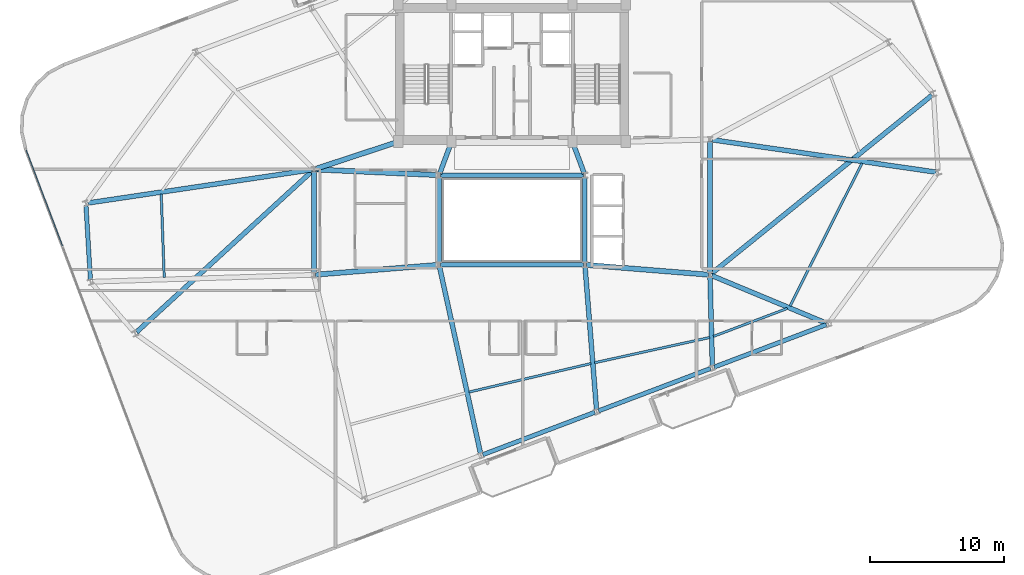
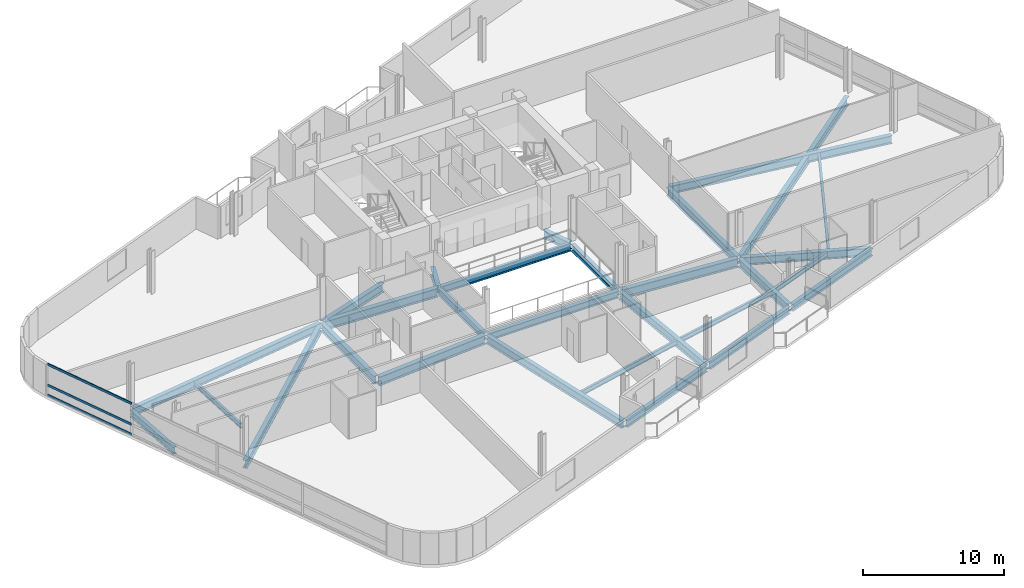
# One storey, part 7 of 19: 29 beams, 3 members, 1 element without a shape of its own.
"""IFC4 building model written with IfcOpenShell, lengths in metres."""

from ifc_helpers import new_model, si_unit, direction, frame, origin, origin_2d, place, context, subcontext, project, spatial, hollow_rectangle, i_section, extrude, material, layer, layer_set, material_profile, profile_set, type_object, element, aggregate, save


model = new_model("IFC4")

# Units and contexts
model_context = context("Model", 3, precision=1e-05, world=origin(), true_north=direction((0.0, 1.0)))
body_context = subcontext(model_context, "Body", "Model", "MODEL_VIEW")
ifc_project = project(units=[si_unit("LENGTHUNIT", "METRE"), si_unit("AREAUNIT", "SQUARE_METRE"), si_unit("VOLUMEUNIT", "CUBIC_METRE"), si_unit("PLANEANGLEUNIT", "RADIAN"), si_unit("MASSUNIT", "GRAM", prefix="KILO")], contexts=[model_context])

# Site, building, storey
site_placement = place(None, origin())
site = spatial("IfcSite", under=ifc_project, at=site_placement, CompositionType="ELEMENT")
building_placement = place(site_placement, origin())
building = spatial("IfcBuilding", under=site, at=building_placement, Name="Varnelok Gate Tower", CompositionType="ELEMENT")
storey_placement = place(building_placement, frame((0.0, 0.0, 246.0)))
storey = spatial("IfcBuildingStorey", under=building, at=storey_placement, Name="L63", CompositionType="ELEMENT", Elevation=246.0)

# Beams
ifc_material_1 = material(Name="Structural Steel ASTM A992 Grade 50", Category="steel")
ifc_material_profile_1 = material_profile(ifc_material_1, i_section(OverallWidth=0.180908203125, OverallDepth=0.4169921875, WebThickness=0.010986328125, FlangeThickness=0.018310546875, FilletRadius=0.013916015625, at=origin_2d()), Name="W16X57")
ifc_profile_set_1 = profile_set([ifc_material_profile_1], Name="Structural Steel ASTM A992 Grade 50")
beam_type_1 = type_object("IfcBeamType", Name="BM-JST-W16X57", PredefinedType="JOIST", material=ifc_profile_set_1)
beam_1_placement = place(storey_placement, frame((35.9833984375, 10.03662109375, -0.45849609375), z_axis=(0.973787152807, 0.227461163782, 0.0), x_axis=(-0.227461163782, 0.973787152807, 0.0)))
element("IfcBeam", 1, at=beam_1_placement, inside=storey, type_object=beam_type_1, Name="L63 Sector Floor Joist 2", PredefinedType="JOIST", context=body_context, shape_type="SweptSolid", body=[
    extrude(i_section(OverallWidth=0.180908203125, OverallDepth=0.4169921875, WebThickness=0.010986328125, FlangeThickness=0.018310546875, FilletRadius=0.013916015625, at=origin_2d()), origin(), (0.0, 0.0, 1.0), 9.365966796875),
])
beam_2_placement = place(storey_placement, frame((45.376708984375, 12.22900390625, -0.45849609375), z_axis=(0.976812641419, 0.214095921407, 0.0), x_axis=(-0.214095921407, 0.976812641419, 0.0)))
element("IfcBeam", 2, at=beam_2_placement, inside=storey, type_object=beam_type_1, Name="L63 Sector Floor Joist 3", PredefinedType="JOIST", context=body_context, shape_type="SweptSolid", body=[
    extrude(i_section(OverallWidth=0.180908203125, OverallDepth=0.4169921875, WebThickness=0.010986328125, FlangeThickness=0.018310546875, FilletRadius=0.013916015625, at=origin_2d()), origin(), (0.0, 0.0, 1.0), 8.8125),
])
beam_3_placement = place(storey_placement, frame((54.25244140625, 14.1953125, -0.45849609375), z_axis=(0.93521906908, 0.354069615795, 0.0), x_axis=(-0.354069615795, 0.93521906908, 0.0)))
element("IfcBeam", 3, at=beam_3_placement, inside=storey, type_object=beam_type_1, Name="L63 Sector Floor Joist 4", PredefinedType="JOIST", context=body_context, shape_type="SweptSolid", body=[
    extrude(i_section(OverallWidth=0.180908203125, OverallDepth=0.4169921875, WebThickness=0.010986328125, FlangeThickness=0.018310546875, FilletRadius=0.013916015625, at=origin_2d()), origin(), (0.0, 0.0, 1.0), 5.91748046875),
])
beam_4_placement = place(storey_placement, frame((59.980712890625, 16.465087890625, -0.45849609375), z_axis=(0.450200182394, 0.892927654277, 0.0), x_axis=(-0.892927654277, 0.450200182394, 0.0)))
element("IfcBeam", 4, at=beam_4_placement, inside=storey, type_object=beam_type_1, Name="L63 Sector Floor Joist 5", PredefinedType="JOIST", context=body_context, shape_type="SweptSolid", body=[
    extrude(i_section(OverallWidth=0.180908203125, OverallDepth=0.4169921875, WebThickness=0.010986328125, FlangeThickness=0.018310546875, FilletRadius=0.013916015625, at=origin_2d()), origin(), (0.0, 0.0, 1.0), 11.95751953125),
])
beam_5_placement = place(storey_placement, frame((12.97802734375, 24.8427734375, -0.45849609375), z_axis=(0.035869731281, -0.999356474126, 0.0), x_axis=(0.999356474126, 0.035869731281, 0.0)))
element("IfcBeam", 5, at=beam_5_placement, inside=storey, type_object=beam_type_1, Name="L63 Sector Floor Joist 12", PredefinedType="JOIST", context=body_context, shape_type="SweptSolid", body=[
    extrude(i_section(OverallWidth=0.180908203125, OverallDepth=0.4169921875, WebThickness=0.010986328125, FlangeThickness=0.018310546875, FilletRadius=0.013916015625, at=origin_2d()), origin(), (0.0, 0.0, 1.0), 6.2548828125),
])
ifc_material_profile_2 = material_profile(ifc_material_1, i_section(OverallWidth=0.35498046875, OverallDepth=0.696044921875, WebThickness=0.015380859375, FlangeThickness=0.02490234375, FilletRadius=0.02001953125, at=origin_2d()), Name="W27X146")
ifc_profile_set_2 = profile_set([ifc_material_profile_2], Name="Structural Steel ASTM A992 Grade 50")
beam_type_2 = type_object("IfcBeamType", Name="BM-PRI-W27X146", PredefinedType="BEAM", material=ifc_profile_set_2)
for number, where, z_axis, x_axis, name in (
    (6, (33.791748046875, 26.362548828125, -0.597900390625), (0.348719329408, 0.937227202602, 0.0), (-0.937227202602, 0.348719329408, 0.0), "L63 Core-Atrium Spine Beam 12"),
    (7, (44.608154296875, 26.362548828125, -0.597900390625), (-0.348719329408, 0.937227202602, 0.0), (-0.937227202602, -0.348719329408, 0.0), "L63 Core-Atrium Spine Beam 13"),
):
    element("IfcBeam", number, at=place(storey_placement, frame(where, z_axis=z_axis, x_axis=x_axis)), inside=storey, type_object=beam_type_2, Name=name, PredefinedType="BEAM", context=body_context, shape_type="SweptSolid", body=[
        extrude(i_section(OverallWidth=0.35498046875, OverallDepth=0.696044921875, WebThickness=0.015380859375, FlangeThickness=0.02490234375, FilletRadius=0.02001953125, at=origin_2d()), origin(), (0.0, 0.0, 1.0), 2.42724609375),
    ])
beam_6_placement = place(storey_placement, frame((24.39990234375, 18.919921875, -0.597900390625), z_axis=(0.0, 1.0, 0.0), x_axis=(-1.0, 0.0, 0.0)))
element("IfcBeam", 8, at=beam_6_placement, inside=storey, type_object=beam_type_2, Name="L63 Core-Atrium Spine Beam 16", PredefinedType="BEAM", context=body_context, shape_type="SweptSolid", body=[
    extrude(i_section(OverallWidth=0.35498046875, OverallDepth=0.696044921875, WebThickness=0.015380859375, FlangeThickness=0.02490234375, FilletRadius=0.02001953125, at=origin_2d()), origin(), (0.0, 0.0, 1.0), 7.64013671875),
])
beam_7_placement = place(storey_placement, frame((54.0, 18.919921875, -0.597900390625), z_axis=(0.0, 1.0, 0.0), x_axis=(-1.0, 0.0, 0.0)))
element("IfcBeam", 9, at=beam_7_placement, inside=storey, type_object=beam_type_2, Name="L63 Core-Atrium Spine Beam 20", PredefinedType="BEAM", context=body_context, shape_type="SweptSolid", body=[
    extrude(i_section(OverallWidth=0.35498046875, OverallDepth=0.696044921875, WebThickness=0.015380859375, FlangeThickness=0.02490234375, FilletRadius=0.02001953125, at=origin_2d()), origin(), (0.0, 0.0, 1.0), 9.880126953125),
])
beam_8_placement = place(storey_placement, frame((33.7822265625, 19.403564453125, -0.597900390625), z_axis=(0.214566745256, -0.976709328219, 0.0), x_axis=(0.976709328219, 0.214566745256, 0.0)))
element("IfcBeam", 10, at=beam_8_placement, inside=storey, type_object=beam_type_2, Name="L63 Radial Floor Girder 2", PredefinedType="BEAM", context=body_context, shape_type="SweptSolid", body=[
    extrude(i_section(OverallWidth=0.35498046875, OverallDepth=0.696044921875, WebThickness=0.015380859375, FlangeThickness=0.02490234375, FilletRadius=0.02001953125, at=origin_2d()), origin(), (0.0, 0.0, 1.0), 14.28662109375),
])
beam_9_placement = place(storey_placement, frame((44.662109375, 19.400390625, -0.597900390625), z_axis=(0.079989916961, -0.996795672736, 0.0), x_axis=(0.996795672736, 0.079989916961, 0.0)))
element("IfcBeam", 11, at=beam_9_placement, inside=storey, type_object=beam_type_2, Name="L63 Radial Floor Girder 3", PredefinedType="BEAM", context=body_context, shape_type="SweptSolid", body=[
    extrude(i_section(OverallWidth=0.35498046875, OverallDepth=0.696044921875, WebThickness=0.015380859375, FlangeThickness=0.02490234375, FilletRadius=0.02001953125, at=origin_2d()), origin(), (0.0, 0.0, 1.0), 10.70703125),
])
beam_10_placement = place(storey_placement, frame((54.00390625, 18.650146484375, -0.597900390625), z_axis=(0.026105842948, -0.999659184404, 0.0), x_axis=(0.999659184404, 0.026105842948, 0.0)))
element("IfcBeam", 12, at=beam_10_placement, inside=storey, type_object=beam_type_2, Name="L63 Radial Floor Girder 4", PredefinedType="BEAM", context=body_context, shape_type="SweptSolid", body=[
    extrude(i_section(OverallWidth=0.35498046875, OverallDepth=0.696044921875, WebThickness=0.015380859375, FlangeThickness=0.02490234375, FilletRadius=0.02001953125, at=origin_2d()), origin(), (0.0, 0.0, 1.0), 6.649169921875),
])
beam_11_placement = place(storey_placement, frame((54.138427734375, 18.742431640625, -0.597900390625), z_axis=(0.923393134815, -0.383855595995, 0.0), x_axis=(0.383855595995, 0.923393134815, 0.0)))
element("IfcBeam", 13, at=beam_11_placement, inside=storey, type_object=beam_type_2, Name="L63 Radial Floor Girder 5", PredefinedType="BEAM", context=body_context, shape_type="SweptSolid", body=[
    extrude(i_section(OverallWidth=0.35498046875, OverallDepth=0.696044921875, WebThickness=0.015380859375, FlangeThickness=0.02490234375, FilletRadius=0.02001953125, at=origin_2d()), origin(), (0.0, 0.0, 1.0), 9.264892578125),
])
beam_12_placement = place(storey_placement, frame((54.1484375, 28.8984375, -0.597900390625), z_axis=(0.989703475153, -0.143132914699, 0.0), x_axis=(0.143132914699, 0.989703475153, 0.0)))
element("IfcBeam", 14, at=beam_12_placement, inside=storey, type_object=beam_type_2, Name="L63 Radial Floor Girder 6", PredefinedType="BEAM", context=body_context, shape_type="SweptSolid", body=[
    extrude(i_section(OverallWidth=0.35498046875, OverallDepth=0.696044921875, WebThickness=0.015380859375, FlangeThickness=0.02490234375, FilletRadius=0.02001953125, at=origin_2d()), origin(), (0.0, 0.0, 1.0), 16.932373046875),
])
beam_13_placement = place(storey_placement, frame((54.11669921875, 18.894287109375, -0.597900390625), z_axis=(0.777332597566, 0.629089844745, 0.0), x_axis=(-0.629089844745, 0.777332597566, 0.0)))
element("IfcBeam", 15, at=beam_13_placement, inside=storey, type_object=beam_type_2, Name="L63 Radial Floor Girder 7", PredefinedType="BEAM", context=body_context, shape_type="SweptSolid", body=[
    extrude(i_section(OverallWidth=0.35498046875, OverallDepth=0.696044921875, WebThickness=0.015380859375, FlangeThickness=0.02490234375, FilletRadius=0.02001953125, at=origin_2d()), origin(), (0.0, 0.0, 1.0), 21.190673828125),
])
beam_14_placement = place(storey_placement, frame((24.251708984375, 26.657958984375, -0.597900390625), z_axis=(-0.989147373927, -0.146926759485, 0.0), x_axis=(0.146926759485, -0.989147373927, 0.0)))
element("IfcBeam", 16, at=beam_14_placement, inside=storey, type_object=beam_type_2, Name="L63 Radial Floor Girder 14", PredefinedType="BEAM", context=body_context, shape_type="SweptSolid", body=[
    extrude(i_section(OverallWidth=0.35498046875, OverallDepth=0.696044921875, WebThickness=0.015380859375, FlangeThickness=0.02490234375, FilletRadius=0.02001953125, at=origin_2d()), origin(), (0.0, 0.0, 1.0), 16.942138671875),
])
beam_15_placement = place(storey_placement, frame((24.289306640625, 26.57861328125, -0.597900390625), z_axis=(-0.737119491435, -0.675762425226, 0.0), x_axis=(0.675762425226, -0.737119491435, 0.0)))
element("IfcBeam", 17, at=beam_15_placement, inside=storey, type_object=beam_type_2, Name="L63 Radial Floor Girder 16", PredefinedType="BEAM", context=body_context, shape_type="SweptSolid", body=[
    extrude(i_section(OverallWidth=0.35498046875, OverallDepth=0.696044921875, WebThickness=0.015380859375, FlangeThickness=0.02490234375, FilletRadius=0.02001953125, at=origin_2d()), origin(), (0.0, 0.0, 1.0), 17.841796875),
])
ifc_material_profile_3 = material_profile(ifc_material_1, i_section(OverallWidth=0.381103515625, OverallDepth=0.77294921875, WebThickness=0.0166015625, FlangeThickness=0.027099609375, FilletRadius=0.02197265625, at=origin_2d()), Name="W30X173")
ifc_profile_set_3 = profile_set([ifc_material_profile_3], Name="Structural Steel ASTM A992 Grade 50")
beam_type_3 = type_object("IfcBeamType", Name="BM-PRI-W30X173", PredefinedType="BEAM", material=ifc_profile_set_3)
beam_16_placement = place(storey_placement, frame((24.51953125, 18.8095703125, -0.636474609375), z_axis=(0.996799206292, 0.07994587128, 0.0), x_axis=(-0.07994587128, 0.996799206292, 0.0)))
element("IfcBeam", 18, at=beam_16_placement, inside=storey, type_object=beam_type_3, Name="L63 Core-Atrium Spine Beam 14", PredefinedType="BEAM", context=body_context, shape_type="SweptSolid", body=[
    extrude(i_section(OverallWidth=0.381103515625, OverallDepth=0.77294921875, WebThickness=0.0166015625, FlangeThickness=0.027099609375, FilletRadius=0.02197265625, at=origin_2d()), origin(), (0.0, 0.0, 1.0), 9.14013671875),
])
beam_17_placement = place(storey_placement, frame((24.52001953125, 26.674560546875, -0.636474609375), z_axis=(0.99894427814, -0.045938319209, 0.0), x_axis=(0.045938319209, 0.99894427814, 0.0)))
element("IfcBeam", 19, at=beam_17_placement, inside=storey, type_object=beam_type_3, Name="L63 Core-Atrium Spine Beam 15", PredefinedType="BEAM", context=body_context, shape_type="SweptSolid", body=[
    extrude(i_section(OverallWidth=0.381103515625, OverallDepth=0.77294921875, WebThickness=0.0166015625, FlangeThickness=0.027099609375, FilletRadius=0.02197265625, at=origin_2d()), origin(), (0.0, 0.0, 1.0), 9.11962890625),
])
beam_18_placement = place(storey_placement, frame((24.513916015625, 26.717529296875, -0.636474609375), z_axis=(0.950041943788, 0.312122259768, 0.0), x_axis=(-0.312122259768, 0.950041943788, 0.0)))
element("IfcBeam", 20, at=beam_18_placement, inside=storey, type_object=beam_type_3, Name="L63 Core-Atrium Spine Beam 17", PredefinedType="BEAM", context=body_context, shape_type="SweptSolid", body=[
    extrude(i_section(OverallWidth=0.381103515625, OverallDepth=0.77294921875, WebThickness=0.0166015625, FlangeThickness=0.027099609375, FilletRadius=0.02197265625, at=origin_2d()), origin(), (0.0, 0.0, 1.0), 6.391357421875),
])
beam_19_placement = place(storey_placement, frame((44.76953125, 19.540283203125, -0.636474609375), z_axis=(0.996799206292, -0.07994587128, 0.0), x_axis=(0.07994587128, 0.996799206292, 0.0)))
element("IfcBeam", 21, at=beam_19_placement, inside=storey, type_object=beam_type_3, Name="L63 Core-Atrium Spine Beam 18", PredefinedType="BEAM", context=body_context, shape_type="SweptSolid", body=[
    extrude(i_section(OverallWidth=0.381103515625, OverallDepth=0.77294921875, WebThickness=0.0166015625, FlangeThickness=0.027099609375, FilletRadius=0.02197265625, at=origin_2d()), origin(), (0.0, 0.0, 1.0), 9.14013671875),
])
ifc_material_profile_4 = material_profile(ifc_material_1, i_section(OverallWidth=0.323974609375, OverallDepth=0.611083984375, WebThickness=0.0126953125, FlangeThickness=0.01904296875, FilletRadius=0.01806640625, at=origin_2d()), Name="W24X104")
ifc_profile_set_4 = profile_set([ifc_material_profile_4], Name="Structural Steel ASTM A992 Grade 50")
beam_type_4 = type_object("IfcBeamType", Name="BM-SPN-W24X104", PredefinedType="SPANDREL", material=ifc_profile_set_4)
for number, where, z_axis, x_axis, name in (
    (22, (33.8701171875, 19.550048828125, -0.555419921875), (1.0, 0.0, 0.0), (0.0, 1.0, 0.0), "L63 Core-Atrium Spine Beam 8"),
    (23, (33.8701171875, 26.25, -0.555419921875), (1.0, 0.0, 0.0), (0.0, 1.0, 0.0), "L63 Core-Atrium Spine Beam 9"),
):
    element("IfcBeam", number, at=place(storey_placement, frame(where, z_axis=z_axis, x_axis=x_axis)), inside=storey, type_object=beam_type_4, Name=name, PredefinedType="SPANDREL", context=body_context, shape_type="SweptSolid", body=[
        extrude(i_section(OverallWidth=0.323974609375, OverallDepth=0.611083984375, WebThickness=0.0126953125, FlangeThickness=0.01904296875, FilletRadius=0.01806640625, at=origin_2d()), origin(), (0.0, 0.0, 1.0), 10.659912109375),
    ])
for number, where, z_axis, x_axis, name in (
    (24, (33.75, 19.669921875, -0.555419921875), (0.0, 1.0, 0.0), (-1.0, 0.0, 0.0), "L63 Core-Atrium Spine Beam 10"),
    (25, (44.64990234375, 19.669921875, -0.555419921875), (0.0, 1.0, 0.0), (-1.0, 0.0, 0.0), "L63 Core-Atrium Spine Beam 11"),
):
    element("IfcBeam", number, at=place(storey_placement, frame(where, z_axis=z_axis, x_axis=x_axis)), inside=storey, type_object=beam_type_4, Name=name, PredefinedType="SPANDREL", context=body_context, shape_type="SweptSolid", body=[
        extrude(i_section(OverallWidth=0.323974609375, OverallDepth=0.611083984375, WebThickness=0.0126953125, FlangeThickness=0.01904296875, FilletRadius=0.01806640625, at=origin_2d()), origin(), (0.0, 0.0, 1.0), 6.4599609375),
    ])
beam_20_placement = place(storey_placement, frame((37.02001953125, 5.356201171875, -0.555419921875), z_axis=(0.935220356141, 0.354066216208, 0.0), x_axis=(-0.354066216208, 0.935220356141, 0.0)))
element("IfcBeam", 26, at=beam_20_placement, inside=storey, type_object=beam_type_4, Name="L63 Perimeter Spandrel Beam 2", PredefinedType="SPANDREL", context=body_context, shape_type="SweptSolid", body=[
    extrude(i_section(OverallWidth=0.323974609375, OverallDepth=0.611083984375, WebThickness=0.0126953125, FlangeThickness=0.01904296875, FilletRadius=0.01806640625, at=origin_2d()), origin(), (0.0, 0.0, 1.0), 8.9501953125),
])
for number, where, z_axis, x_axis, name in (
    (27, (45.6708984375, 8.63134765625, -0.555419921875), (0.935216936382, 0.354075248928, 0.0), (-0.354075248928, 0.935216936382, 0.0), "L63 Perimeter Spandrel Beam 3"),
    (28, (54.32177734375, 11.906494140625, -0.555419921875), (0.935225969099, 0.354051389947, 0.0), (-0.354051389947, 0.935225969099, 0.0), "L63 Perimeter Spandrel Beam 4"),
):
    element("IfcBeam", number, at=place(storey_placement, frame(where, z_axis=z_axis, x_axis=x_axis)), inside=storey, type_object=beam_type_4, Name=name, PredefinedType="SPANDREL", context=body_context, shape_type="SweptSolid", body=[
        extrude(i_section(OverallWidth=0.323974609375, OverallDepth=0.611083984375, WebThickness=0.0126953125, FlangeThickness=0.01904296875, FilletRadius=0.01806640625, at=origin_2d()), origin(), (0.0, 0.0, 1.0), 8.949951171875),
    ])
beam_21_placement = place(storey_placement, frame((7.353759765625, 23.996826171875, -0.555419921875), z_axis=(0.059497061762, -0.99822848068, 0.0), x_axis=(0.99822848068, 0.059497061762, 0.0)))
element("IfcBeam", 29, at=beam_21_placement, inside=storey, type_object=beam_type_4, Name="L63 Perimeter Spandrel Beam 14", PredefinedType="SPANDREL", context=body_context, shape_type="SweptSolid", body=[
    extrude(i_section(OverallWidth=0.323974609375, OverallDepth=0.611083984375, WebThickness=0.0126953125, FlangeThickness=0.01904296875, FilletRadius=0.01806640625, at=origin_2d()), origin(), (0.0, 0.0, 1.0), 5.576416015625),
])

# Curtain wall, members
ifc_material_2 = material(Name="Anodized Aluminum Alloy 6063-T6", Category="aluminium")
ifc_layer = layer(ifc_material_2, 0.179931640625)
ifc_layer_set = layer_set([ifc_layer], Name="Anodized Aluminum Alloy 6063-T6")
curtain_wall_type = type_object("IfcCurtainWallType", Name="CW4-RESIDENCE-VISION", PredefinedType="USERDEFINED", material=ifc_layer_set)
curtain_wall_placement = place(storey_placement, origin())
curtain_wall = element("IfcCurtainWall", 30, at=curtain_wall_placement, inside=storey, type_object=curtain_wall_type, Name="L63 West End Vision Curtain Wall", ObjectType="UNITISED CURTAIN WALL", PredefinedType="USERDEFINED")
ifc_material_profile_5 = material_profile(ifc_material_2, hollow_rectangle(XDim=0.074951171875, YDim=0.199951171875, WallThickness=0.00390625, at=origin_2d()), Name="ALU200X75X4")
ifc_profile_set_5 = profile_set([ifc_material_profile_5], Name="Anodized Aluminum Alloy 6063-T6")
member_type = type_object("IfcMemberType", Name="CW-TRAN-200", PredefinedType="USERDEFINED", material=ifc_profile_set_5)
member_1_placement = place(storey_placement, frame((5.60009765625, 20.9599609375, 0.03759765625), z_axis=(-0.354073041953, 0.935217771945, 0.0), x_axis=(-0.935217771945, -0.354073041953, 0.0)))
member_1 = element("IfcMember", 31, at=member_1_placement, type_object=member_type, Name="CW4 transom 4.1", ObjectType="TRANSOM", PredefinedType="USERDEFINED", context=body_context, shape_type="SweptSolid", body=[
    extrude(hollow_rectangle(XDim=0.074951171875, YDim=0.199951171875, WallThickness=0.00390625, at=origin_2d()), origin(), (0.0, 0.0, 1.0), 7.6875),
])
member_2_placement = place(storey_placement, frame((5.60009765625, 20.9599609375, 0.89990234375), z_axis=(-0.354073041953, 0.935217771945, 0.0), x_axis=(-0.935217771945, -0.354073041953, 0.0)))
member_2 = element("IfcMember", 32, at=member_2_placement, type_object=member_type, Name="CW4 transom 4.2", ObjectType="TRANSOM", PredefinedType="USERDEFINED", context=body_context, shape_type="SweptSolid", body=[
    extrude(hollow_rectangle(XDim=0.074951171875, YDim=0.199951171875, WallThickness=0.00390625, at=origin_2d()), origin(), (0.0, 0.0, 1.0), 7.6875),
])
member_3_placement = place(storey_placement, frame((5.60009765625, 20.9599609375, 2.6923828125), z_axis=(-0.354073041953, 0.935217771945, 0.0), x_axis=(-0.935217771945, -0.354073041953, 0.0)))
member_3 = element("IfcMember", 33, at=member_3_placement, type_object=member_type, Name="CW4 transom 4.3", ObjectType="TRANSOM", PredefinedType="USERDEFINED", context=body_context, shape_type="SweptSolid", body=[
    extrude(hollow_rectangle(XDim=0.074951171875, YDim=0.199951171875, WallThickness=0.00390625, at=origin_2d()), origin(), (0.0, 0.0, 1.0), 7.6875),
])
aggregate(curtain_wall, [member_1, member_2, member_3])

save(model, "model.ifc")
